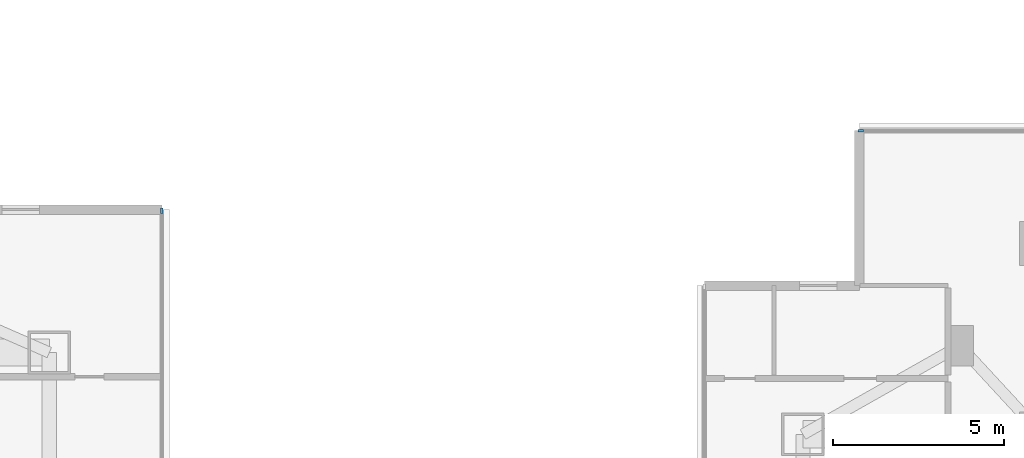
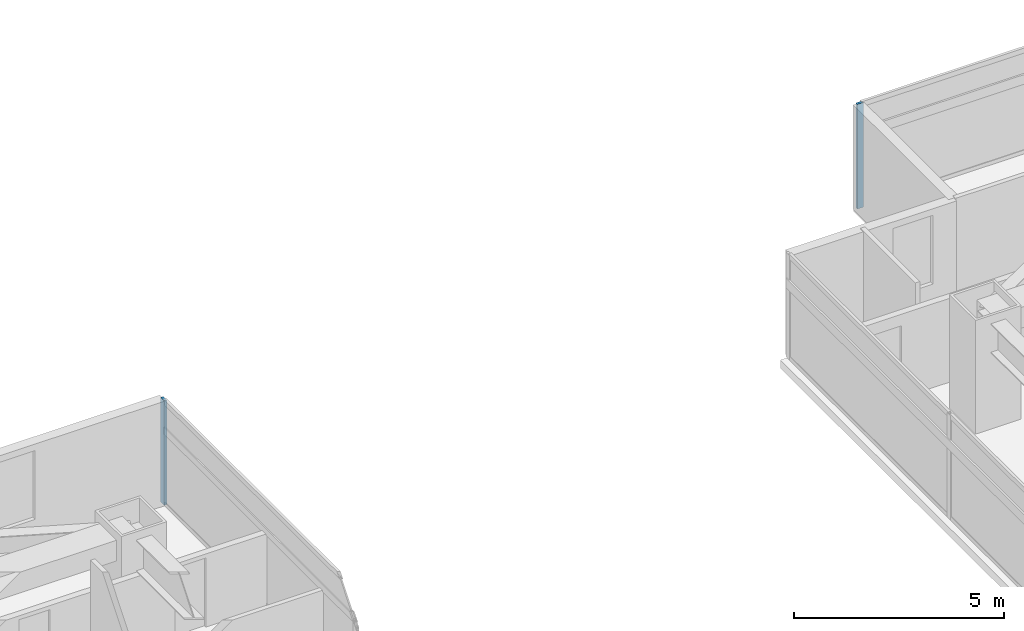
# One storey, part 8 of 24: 2 members, 2 elements without a shape of their own.
"""IFC4 building model written with IfcOpenShell, lengths in metres."""

from ifc_helpers import new_model, si_unit, direction, frame, origin, origin_2d, place, context, subcontext, project, spatial, rectangle, extrude, material, material_profile, profile_set, type_object, element, aggregate, save


model = new_model("IFC4")

# Units and contexts
model_context = context("Model", 3, precision=1e-05, world=origin(), true_north=direction((0.0, 1.0)))
body_context = subcontext(model_context, "Body", "Model", "MODEL_VIEW")
ifc_project = project(units=[si_unit("LENGTHUNIT", "METRE"), si_unit("AREAUNIT", "SQUARE_METRE"), si_unit("VOLUMEUNIT", "CUBIC_METRE"), si_unit("PLANEANGLEUNIT", "RADIAN"), si_unit("MASSUNIT", "GRAM", prefix="KILO")], contexts=[model_context])

# Site, building, storey
site_placement = place(None, origin())
site = spatial("IfcSite", under=ifc_project, at=site_placement, CompositionType="ELEMENT")
building_placement = place(site_placement, origin())
building = spatial("IfcBuilding", under=site, at=building_placement, Name="Mirazonda Arch Towers", CompositionType="ELEMENT")
storey_placement = place(building_placement, frame((0.0, 0.0, 65.300048828125)))
storey = spatial("IfcBuildingStorey", under=building, at=storey_placement, Name="L18", CompositionType="ELEMENT", Elevation=65.300048828125)

# Curtain wall, member
ifc_material_1 = material(Name="Anodised Aluminium and Low-E Glass", Category="aluminium")
curtain_wall_type = type_object("IfcCurtainWallType", Name="CW-HTL-UNIT", PredefinedType="NOTDEFINED", material=ifc_material_1)
curtain_wall_1_placement = place(storey_placement, origin())
curtain_wall_1 = element("IfcCurtainWall", 1, at=curtain_wall_1_placement, inside=storey, type_object=curtain_wall_type, Name="L18 T1 E Facade CW-L18-T1-E", PredefinedType="NOTDEFINED")
ifc_material_2 = material(Name="Anodised Aluminium Alloy", Category="aluminium")
ifc_material_profile = material_profile(ifc_material_2, rectangle(XDim=0.074951171875, YDim=0.1650390625, at=origin_2d()), Name="ALU-MULL-75x165")
ifc_profile_set = profile_set([ifc_material_profile], Name="Anodised Aluminium Alloy")
member_type = type_object("IfcMemberType", Name="MULL-CW-HTL-UNIT", PredefinedType="MULLION", material=ifc_profile_set)
member_1_placement = place(storey_placement, frame((42.199951171875, 41.75439453125, 0.0), z_axis=(0.0, 0.0, 1.0), x_axis=(-1.0, 0.0, 0.0)))
member_1 = element("IfcMember", 2, at=member_1_placement, type_object=member_type, Name="CW-112 mullion 4", PredefinedType="MULLION", context=body_context, shape_type="SweptSolid", body=[
    extrude(rectangle(XDim=0.074951171875, YDim=0.1650390625, at=origin_2d()), origin(), (0.0, 0.0, 1.0), 3.0400390625),
])
aggregate(curtain_wall_1, [member_1])

curtain_wall_2_placement = place(storey_placement, origin())
curtain_wall_2 = element("IfcCurtainWall", 3, at=curtain_wall_2_placement, inside=storey, type_object=curtain_wall_type, Name="L18 T2 N Facade CW-L18-T2-N", PredefinedType="NOTDEFINED")
member_2_placement = place(storey_placement, frame((62.69140625, 44.109130859375, 0.0), z_axis=(0.0, 0.0, 1.0), x_axis=(0.0, 1.0, 0.0)))
member_2 = element("IfcMember", 4, at=member_2_placement, type_object=member_type, Name="CW-112 mullion 1", PredefinedType="MULLION", context=body_context, shape_type="SweptSolid", body=[
    extrude(rectangle(XDim=0.074951171875, YDim=0.1650390625, at=origin_2d()), origin(), (0.0, 0.0, 1.0), 3.0400390625),
])
aggregate(curtain_wall_2, [member_2])

save(model, "model.ifc")
